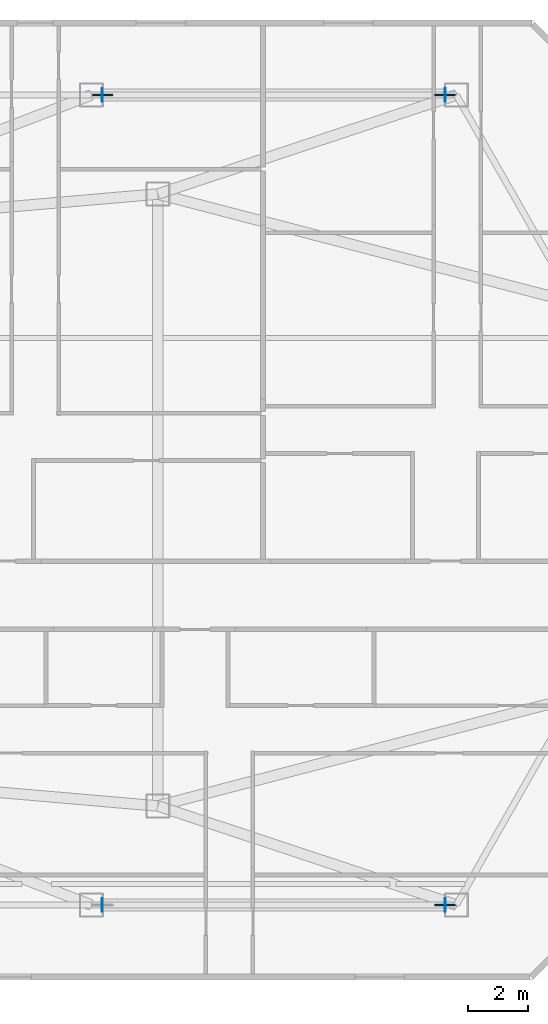
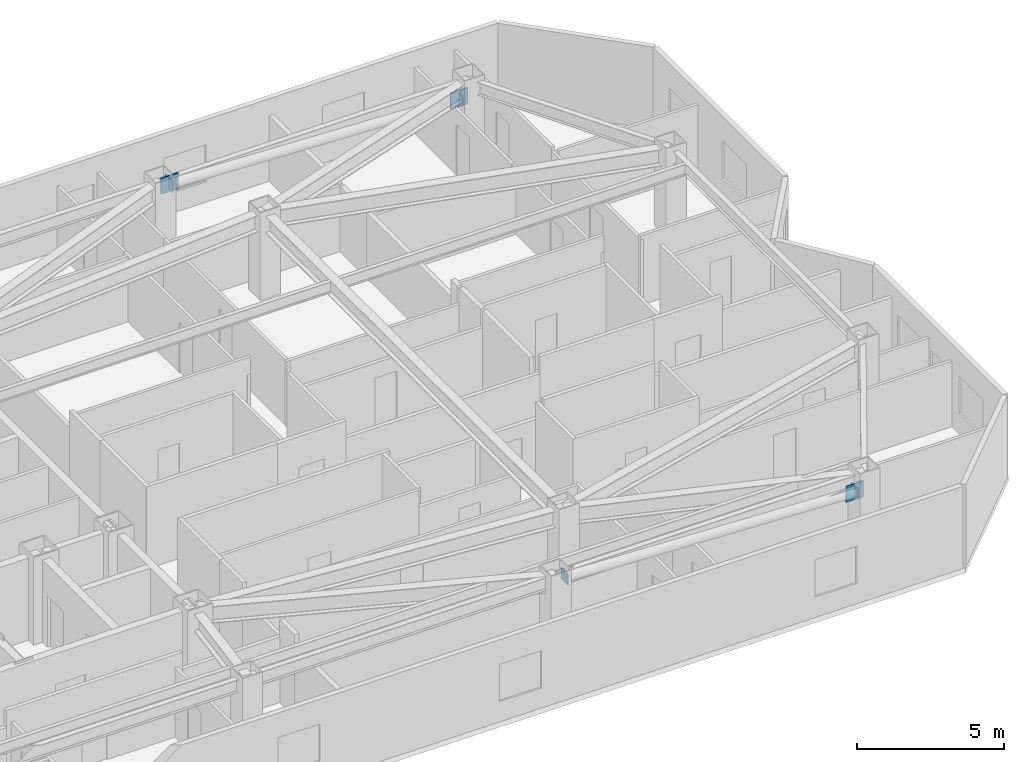
# One storey, part 7 of 14: 7 plates.
"""IFC4 building model written with IfcOpenShell, lengths in metres."""

import ifcopenshell
import ifcopenshell.guid

model = None  # the IFC model being written
_history = None  # IfcOwnerHistory: only IFC2X3 demands one
_inside = {}  # id of a spatial element -> (the spatial element, [elements in it])
_under = {}  # id of a project, library or spatial element -> (it, [spatial elements below it])
_declared = {}  # id of a project -> (the project, [libraries it declares])
_typed = {}  # id of a type object -> (the type object, [elements of that type])
_made_of = {}  # id of a material, layer set ... -> (it, [elements and type objects made of it])


def new_model(schema):
    """Start an empty IFC model of exactly this schema.

    Asked for "IFC4X3", IfcOpenShell would pick the latest addendum, in which some entities
    have other attributes; the version numbers below select the first issue.
    IFC2X3 requires an IfcOwnerHistory on every rooted entity: one is made here for all.
    """
    global model, _history
    if schema == "IFC4X3":
        model = ifcopenshell.file(schema_version=(4, 3, 0, 0))
    else:
        model = ifcopenshell.file(schema=schema)
    _inside.clear()
    _under.clear()
    _declared.clear()
    _typed.clear()
    _made_of.clear()
    _history = None
    if model.schema == "IFC2X3":
        org = make("IfcOrganization", Name="unknown")
        user = make(
            "IfcPersonAndOrganization",
            ThePerson=make("IfcPerson", FamilyName="unknown"),
            TheOrganization=org,
        )
        app = make(
            "IfcApplication",
            ApplicationDeveloper=org,
            Version="unknown",
            ApplicationFullName="unknown",
            ApplicationIdentifier="unknown",
        )
        _history = make(
            "IfcOwnerHistory",
            OwningUser=user,
            OwningApplication=app,
            ChangeAction="ADDED",
            CreationDate=0,
        )
    return model


def make(cls, **values):
    """One entity of the class cls with the attributes given. An attribute that is None is left unset."""
    return model.create_entity(
        cls, **{name: value for name, value in values.items() if value is not None}
    )


def rooted(cls, **values):
    """An entity with a GlobalId (a new one), such as an element, a storey or a relation."""
    return make(cls, GlobalId=ifcopenshell.guid.new(), OwnerHistory=_history, **values)


def si_unit(unit_type, name, prefix=None):
    """IfcSIUnit, for example si_unit("LENGTHUNIT", "METRE", prefix="MILLI")."""
    return make("IfcSIUnit", UnitType=unit_type, Prefix=prefix, Name=name)


def assignment(units):
    """IfcUnitAssignment: the units of a project."""
    return None if units is None else make("IfcUnitAssignment", Units=units)


def point(xyz):
    """IfcCartesianPoint."""
    return None if xyz is None else make("IfcCartesianPoint", Coordinates=xyz)


def direction(xyz):
    """IfcDirection."""
    return None if xyz is None else make("IfcDirection", DirectionRatios=xyz)


def frame(location, z_axis=None, x_axis=None):
    """IfcAxis2Placement3D, a coordinate frame: its origin and axes. An axis left out is left unset."""
    return make(
        "IfcAxis2Placement3D",
        Location=point(location),
        Axis=direction(z_axis),
        RefDirection=direction(x_axis),
    )


def frame_2d(location, x_axis=None):
    """IfcAxis2Placement2D, a coordinate frame in the plane: its origin and x axis."""
    return make(
        "IfcAxis2Placement2D", Location=point(location), RefDirection=direction(x_axis)
    )


def origin():
    """The frame at (0, 0, 0) with its axes left unset."""
    return frame((0.0, 0.0, 0.0))


def origin_2d():
    """The frame at (0, 0) in the plane with its x axis left unset."""
    return frame_2d((0.0, 0.0))


def place(relative_to, where):
    """IfcLocalPlacement: puts the frame where relative to a parent placement (None: the world)."""
    return make(
        "IfcLocalPlacement", PlacementRelTo=relative_to, RelativePlacement=where
    )


def context(
    kind, dimensions, precision=None, world=None, true_north=None, identifier=None
):
    """IfcGeometricRepresentationContext, for example the 3D "Model" context."""
    return make(
        "IfcGeometricRepresentationContext",
        ContextIdentifier=identifier,
        ContextType=kind,
        CoordinateSpaceDimension=dimensions,
        Precision=precision,
        WorldCoordinateSystem=world,
        TrueNorth=true_north,
    )


def subcontext(parent, identifier, kind, view, scale=None):
    """IfcGeometricRepresentationSubContext, for example "Body" below "Model"."""
    return make(
        "IfcGeometricRepresentationSubContext",
        ContextIdentifier=identifier,
        ContextType=kind,
        ParentContext=parent,
        TargetScale=scale,
        TargetView=view,
    )


def project(units=None, contexts=None):
    """IfcProject with its units and contexts."""
    return rooted(
        "IfcProject",
        Name="project",
        RepresentationContexts=contexts,
        UnitsInContext=assignment(units),
    )


def spatial(cls, under=None, at=None, **own):
    """A site, building, storey or space (cls), placed at a placement, below another one or the project."""
    s = rooted(cls, ObjectPlacement=at, **own)
    if under is not None:
        _under.setdefault(under.id(), (under, []))[1].append(s)
    return s


def profile(cls, at=None, kind="AREA", **sizes):
    """A parametric profile (cls). Its sizes go by their IFC names, for example OverallWidth=200.0."""
    return make(cls, ProfileType=kind, Position=at, **sizes)


def rectangle(**sizes):
    """IfcRectangleProfileDef."""
    return profile("IfcRectangleProfileDef", **sizes)


def extrude(swept, where, along, depth):
    """IfcExtrudedAreaSolid: the profile swept, set in the frame where, extruded along a direction by depth."""
    return make(
        "IfcExtrudedAreaSolid",
        SweptArea=swept,
        Position=where,
        ExtrudedDirection=direction(along),
        Depth=depth,
    )


def shape(context_of_items, identifier, shape_type, items):
    """IfcShapeRepresentation: the items that make up one representation, for example the "Body"."""
    return make(
        "IfcShapeRepresentation",
        ContextOfItems=context_of_items,
        RepresentationIdentifier=identifier,
        RepresentationType=shape_type,
        Items=items,
    )


def material(Name=None, Category=None):
    """IfcMaterial."""
    return make("IfcMaterial", Name=Name, Category=Category)


def layer(
    of_material, thickness, ventilated=None, Name=None, Category=None, Priority=None
):
    """IfcMaterialLayer: one layer of a wall or slab, of a material (None: an air gap)."""
    return make(
        "IfcMaterialLayer",
        Material=of_material,
        LayerThickness=thickness,
        IsVentilated=ventilated,
        Name=Name,
        Category=Category,
        Priority=Priority,
    )


def layer_set(layers, Name=None):
    """IfcMaterialLayerSet."""
    return make("IfcMaterialLayerSet", MaterialLayers=layers, LayerSetName=Name)


def made_of(thing, what):
    """Note that an element or type object is made of a material, layer set ...; save() writes the relation."""
    if what is not None:
        _made_of.setdefault(what.id(), (what, []))[1].append(thing)
    return thing


def type_object(cls, material=None, **own):
    """A type object (cls), such as IfcWallType, which elements share."""
    return made_of(rooted(cls, **own), material)


def element(
    cls,
    number,
    at=None,
    inside=None,
    cuts=None,
    type_object=None,
    material=None,
    context=None,
    identifier="Body",
    shape_type=None,
    held_by="IfcProductDefinitionShape",
    body=None,
    shapes=None,
    **own,
):
    """One element of the class cls, such as IfcWall. Its Tag is "e" and its number.

    at: its placement. inside: the storey or other place that contains it. cuts: it is an
    opening in that element (IfcRelVoidsElement). A single representation is given by context,
    identifier, shape_type and body (its items); several are given by shapes. held_by: the class
    of the entity that holds the representations. save() writes the other relations.
    """
    e = rooted(cls, Tag="e%d" % number, ObjectPlacement=at, **own)
    if body is not None:
        shapes = [shape(context, identifier, shape_type, body)]
    if shapes is not None:
        e.Representation = make(held_by, Representations=shapes)
    if inside is not None:
        _inside.setdefault(inside.id(), (inside, []))[1].append(e)
    if cuts is not None:
        rooted(
            "IfcRelVoidsElement", RelatingBuildingElement=cuts, RelatedOpeningElement=e
        )
    if type_object is not None:
        _typed.setdefault(type_object.id(), (type_object, []))[1].append(e)
    return made_of(e, material)


def aggregate(whole, parts):
    """IfcRelAggregates: a whole, such as a stair, and the parts it consists of."""
    return rooted("IfcRelAggregates", RelatingObject=whole, RelatedObjects=parts)


def save(model, path):
    """Write the relations noted so far, then the file.

    IfcRelAggregates (storeys below a building ...), IfcRelContainedInSpatialStructure (elements
    in a storey), IfcRelDefinesByType, IfcRelAssociatesMaterial and IfcRelDeclares: one each for
    every whole, place, type object, material and project.
    """
    for whole, parts in _under.values():
        aggregate(whole, parts)
    for where, things in _inside.values():
        rooted(
            "IfcRelContainedInSpatialStructure",
            RelatedElements=things,
            RelatingStructure=where,
        )
    for kind, things in _typed.values():
        rooted("IfcRelDefinesByType", RelatedObjects=things, RelatingType=kind)
    for what, things in _made_of.values():
        rooted("IfcRelAssociatesMaterial", RelatedObjects=things, RelatingMaterial=what)
    for by, libraries in _declared.values():
        rooted("IfcRelDeclares", RelatingContext=by, RelatedDefinitions=libraries)
    model.write(path)


model = new_model("IFC4")

# Units and contexts
model_context = context("Model", 3, precision=1e-05, world=origin(), true_north=direction((0.0, 1.0)))
body_context = subcontext(model_context, "Body", "Model", "MODEL_VIEW")
ifc_project = project(units=[si_unit("LENGTHUNIT", "METRE"), si_unit("AREAUNIT", "SQUARE_METRE"), si_unit("VOLUMEUNIT", "CUBIC_METRE"), si_unit("PLANEANGLEUNIT", "RADIAN"), si_unit("MASSUNIT", "GRAM", prefix="KILO")], contexts=[model_context])

# Site, building, storey
site_placement = place(None, origin())
site = spatial("IfcSite", under=ifc_project, at=site_placement, CompositionType="ELEMENT")
building_placement = place(site_placement, origin())
building = spatial("IfcBuilding", under=site, at=building_placement, Name="Khamvora Tower", CompositionType="ELEMENT")
storey_placement = place(building_placement, frame((0.0, 0.0, 231.800048828125)))
storey = spatial("IfcBuildingStorey", under=building, at=storey_placement, Name="L59", CompositionType="ELEMENT", Elevation=231.800048828125)

# Plates
ifc_material_1 = material(Name="Steel S355", Category="steel")
ifc_layer_1 = layer(ifc_material_1, 0.02490234375)
ifc_layer_set_1 = layer_set([ifc_layer_1], Name="Steel S355")
plate_type_1 = type_object("IfcPlateType", Name="PL-CAP-25", PredefinedType="SHEET", material=ifc_layer_set_1)
for number, where, z_axis, x_axis, name in (
    (1, (62.882080078125, 14.5, 2.4619140625), (0.0, 0.0, 1.0), (-1.0, 0.0, 0.0), "L59 hollow section steel end cap plate 1146"),
    (2, (51.450927734375, 14.5, 2.9150390625), (0.0, 0.0, 1.0), (-1.0, 0.0, 0.0), "L59 hollow section steel end cap plate 1147"),
    (3, (62.882080078125, 41.5, 2.4619140625), (0.0, 0.0, 1.0), (-1.0, 0.0, 0.0), "L59 hollow section steel end cap plate 1148"),
    (4, (51.450927734375, 41.5, 2.9150390625), (0.0, 0.0, 1.0), (-1.0, 0.0, 0.0), "L59 hollow section steel end cap plate 1149"),
):
    element("IfcPlate", number, at=place(storey_placement, frame(where, z_axis=z_axis, x_axis=x_axis)), inside=storey, type_object=plate_type_1, Name=name, PredefinedType="SHEET", context=body_context, shape_type="SweptSolid", body=[
        extrude(rectangle(XDim=0.02490234375, YDim=0.466064453125, at=origin_2d()), origin(), (0.0, 0.0, 1.0), 0.466064453125),
    ])
ifc_material_2 = material(Name="Steel S460", Category="steel")
ifc_layer_2 = layer(ifc_material_2, 0.0400390625)
ifc_layer_set_2 = layer_set([ifc_layer_2], Name="Steel S460")
plate_type_2 = type_object("IfcPlateType", Name="PLT-GUS-40", PredefinedType="SHEET", material=ifc_layer_set_2)
for number, where, z_axis, x_axis, name in (
    (5, (62.8701171875, 14.5, 2.35498046875), (0.0, 0.0, 1.0), (1.0, 0.0, 0.0), "L59 brace connection node gusset plate 0389"),
    (6, (62.8701171875, 41.5, 2.35498046875), (0.0, 0.0, 1.0), (1.0, 0.0, 0.0), "L59 brace connection node gusset plate 0391"),
    (7, (51.462890625, 41.5, 2.80810546875), (0.0, 0.0, 1.0), (1.0, 0.0, 0.0), "L59 brace connection node gusset plate 0392"),
):
    element("IfcPlate", number, at=place(storey_placement, frame(where, z_axis=z_axis, x_axis=x_axis)), inside=storey, type_object=plate_type_2, Name=name, PredefinedType="SHEET", context=body_context, shape_type="SweptSolid", body=[
        extrude(rectangle(XDim=0.679931640625, YDim=0.0400390625, at=origin_2d()), origin(), (0.0, 0.0, 1.0), 0.679931640625),
    ])

save(model, "model.ifc")
